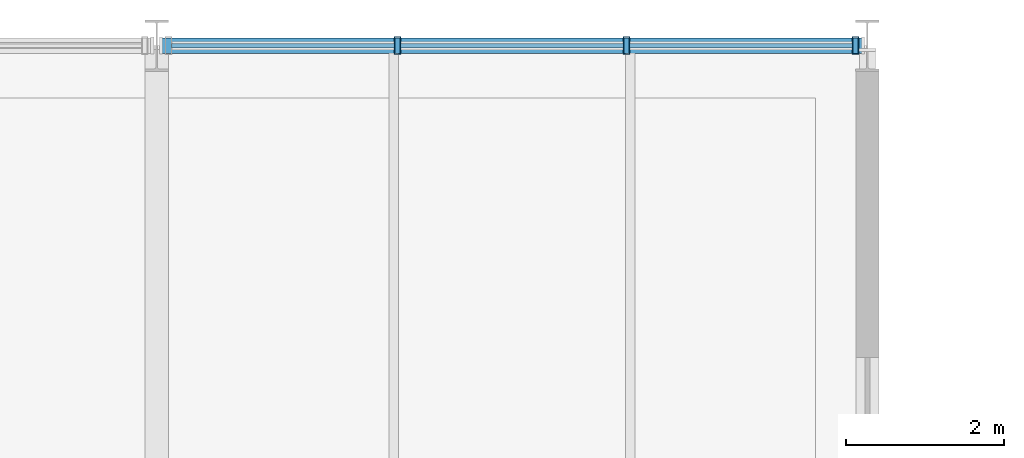
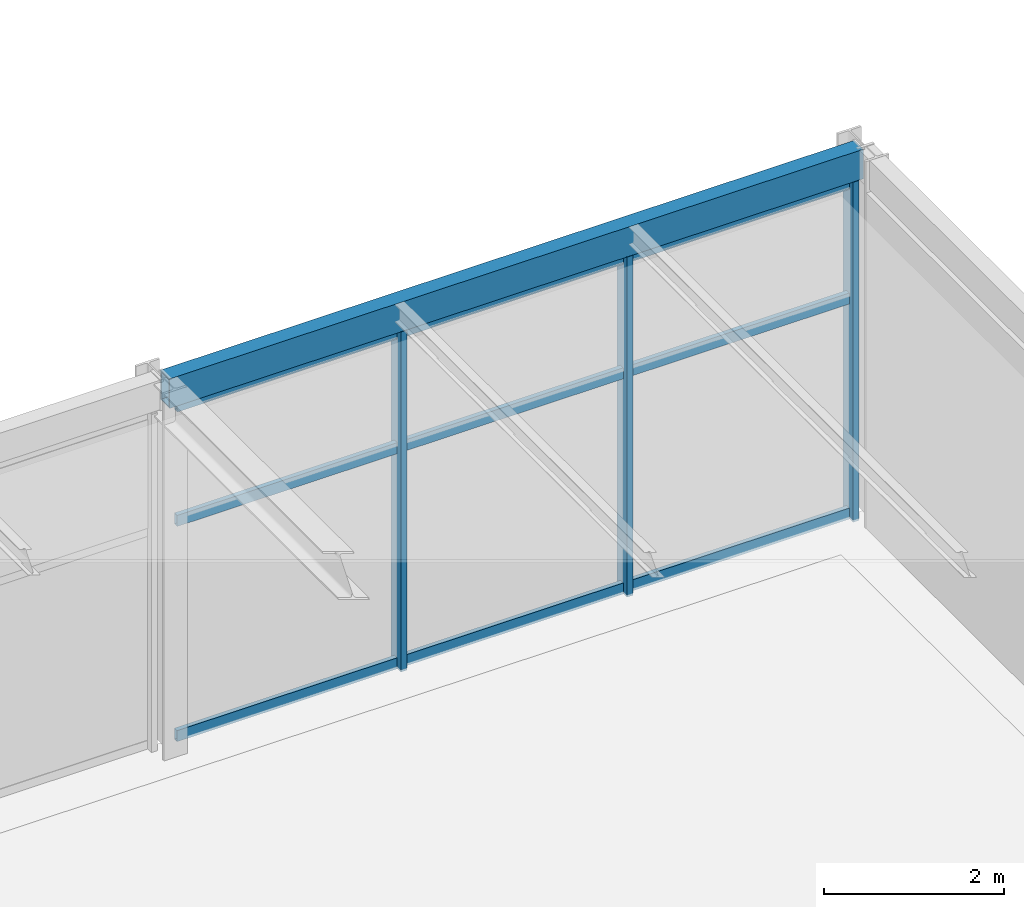
# One storey, part 93 of 195: 12 members, 1 beam, 1 element without a shape of its own.
"""IFC4 building model written with IfcOpenShell, lengths in metres."""

import ifcopenshell
import ifcopenshell.guid

model = None  # the IFC model being written
_history = None  # IfcOwnerHistory: only IFC2X3 demands one
_inside = {}  # id of a spatial element -> (the spatial element, [elements in it])
_under = {}  # id of a project, library or spatial element -> (it, [spatial elements below it])
_declared = {}  # id of a project -> (the project, [libraries it declares])
_typed = {}  # id of a type object -> (the type object, [elements of that type])
_made_of = {}  # id of a material, layer set ... -> (it, [elements and type objects made of it])


def new_model(schema):
    """Start an empty IFC model of exactly this schema.

    Asked for "IFC4X3", IfcOpenShell would pick the latest addendum, in which some entities
    have other attributes; the version numbers below select the first issue.
    IFC2X3 requires an IfcOwnerHistory on every rooted entity: one is made here for all.
    """
    global model, _history
    if schema == "IFC4X3":
        model = ifcopenshell.file(schema_version=(4, 3, 0, 0))
    else:
        model = ifcopenshell.file(schema=schema)
    _inside.clear()
    _under.clear()
    _declared.clear()
    _typed.clear()
    _made_of.clear()
    _history = None
    if model.schema == "IFC2X3":
        org = make("IfcOrganization", Name="unknown")
        user = make(
            "IfcPersonAndOrganization",
            ThePerson=make("IfcPerson", FamilyName="unknown"),
            TheOrganization=org,
        )
        app = make(
            "IfcApplication",
            ApplicationDeveloper=org,
            Version="unknown",
            ApplicationFullName="unknown",
            ApplicationIdentifier="unknown",
        )
        _history = make(
            "IfcOwnerHistory",
            OwningUser=user,
            OwningApplication=app,
            ChangeAction="ADDED",
            CreationDate=0,
        )
    return model


def make(cls, **values):
    """One entity of the class cls with the attributes given. An attribute that is None is left unset."""
    return model.create_entity(
        cls, **{name: value for name, value in values.items() if value is not None}
    )


def rooted(cls, **values):
    """An entity with a GlobalId (a new one), such as an element, a storey or a relation."""
    return make(cls, GlobalId=ifcopenshell.guid.new(), OwnerHistory=_history, **values)


def si_unit(unit_type, name, prefix=None):
    """IfcSIUnit, for example si_unit("LENGTHUNIT", "METRE", prefix="MILLI")."""
    return make("IfcSIUnit", UnitType=unit_type, Prefix=prefix, Name=name)


def assignment(units):
    """IfcUnitAssignment: the units of a project."""
    return None if units is None else make("IfcUnitAssignment", Units=units)


def point(xyz):
    """IfcCartesianPoint."""
    return None if xyz is None else make("IfcCartesianPoint", Coordinates=xyz)


def direction(xyz):
    """IfcDirection."""
    return None if xyz is None else make("IfcDirection", DirectionRatios=xyz)


def frame(location, z_axis=None, x_axis=None):
    """IfcAxis2Placement3D, a coordinate frame: its origin and axes. An axis left out is left unset."""
    return make(
        "IfcAxis2Placement3D",
        Location=point(location),
        Axis=direction(z_axis),
        RefDirection=direction(x_axis),
    )


def frame_2d(location, x_axis=None):
    """IfcAxis2Placement2D, a coordinate frame in the plane: its origin and x axis."""
    return make(
        "IfcAxis2Placement2D", Location=point(location), RefDirection=direction(x_axis)
    )


def origin():
    """The frame at (0, 0, 0) with its axes left unset."""
    return frame((0.0, 0.0, 0.0))


def origin_2d():
    """The frame at (0, 0) in the plane with its x axis left unset."""
    return frame_2d((0.0, 0.0))


def place(relative_to, where):
    """IfcLocalPlacement: puts the frame where relative to a parent placement (None: the world)."""
    return make(
        "IfcLocalPlacement", PlacementRelTo=relative_to, RelativePlacement=where
    )


def context(
    kind, dimensions, precision=None, world=None, true_north=None, identifier=None
):
    """IfcGeometricRepresentationContext, for example the 3D "Model" context."""
    return make(
        "IfcGeometricRepresentationContext",
        ContextIdentifier=identifier,
        ContextType=kind,
        CoordinateSpaceDimension=dimensions,
        Precision=precision,
        WorldCoordinateSystem=world,
        TrueNorth=true_north,
    )


def subcontext(parent, identifier, kind, view, scale=None):
    """IfcGeometricRepresentationSubContext, for example "Body" below "Model"."""
    return make(
        "IfcGeometricRepresentationSubContext",
        ContextIdentifier=identifier,
        ContextType=kind,
        ParentContext=parent,
        TargetScale=scale,
        TargetView=view,
    )


def project(units=None, contexts=None):
    """IfcProject with its units and contexts."""
    return rooted(
        "IfcProject",
        Name="project",
        RepresentationContexts=contexts,
        UnitsInContext=assignment(units),
    )


def spatial(cls, under=None, at=None, **own):
    """A site, building, storey or space (cls), placed at a placement, below another one or the project."""
    s = rooted(cls, ObjectPlacement=at, **own)
    if under is not None:
        _under.setdefault(under.id(), (under, []))[1].append(s)
    return s


def profile(cls, at=None, kind="AREA", **sizes):
    """A parametric profile (cls). Its sizes go by their IFC names, for example OverallWidth=200.0."""
    return make(cls, ProfileType=kind, Position=at, **sizes)


def hollow_rectangle(**sizes):
    """IfcRectangleHollowProfileDef."""
    return profile("IfcRectangleHollowProfileDef", **sizes)


def extrude(swept, where, along, depth):
    """IfcExtrudedAreaSolid: the profile swept, set in the frame where, extruded along a direction by depth."""
    return make(
        "IfcExtrudedAreaSolid",
        SweptArea=swept,
        Position=where,
        ExtrudedDirection=direction(along),
        Depth=depth,
    )


def shape(context_of_items, identifier, shape_type, items):
    """IfcShapeRepresentation: the items that make up one representation, for example the "Body"."""
    return make(
        "IfcShapeRepresentation",
        ContextOfItems=context_of_items,
        RepresentationIdentifier=identifier,
        RepresentationType=shape_type,
        Items=items,
    )


def material(Name=None, Category=None):
    """IfcMaterial."""
    return make("IfcMaterial", Name=Name, Category=Category)


def layer(
    of_material, thickness, ventilated=None, Name=None, Category=None, Priority=None
):
    """IfcMaterialLayer: one layer of a wall or slab, of a material (None: an air gap)."""
    return make(
        "IfcMaterialLayer",
        Material=of_material,
        LayerThickness=thickness,
        IsVentilated=ventilated,
        Name=Name,
        Category=Category,
        Priority=Priority,
    )


def layer_set(layers, Name=None):
    """IfcMaterialLayerSet."""
    return make("IfcMaterialLayerSet", MaterialLayers=layers, LayerSetName=Name)


def material_profile(
    of_material, cross_section, Name=None, Category=None, Priority=None
):
    """IfcMaterialProfile: a cross section and its material."""
    return make(
        "IfcMaterialProfile",
        Name=Name,
        Material=of_material,
        Profile=cross_section,
        Priority=Priority,
        Category=Category,
    )


def profile_set(profiles, Name=None, composite=None):
    """IfcMaterialProfileSet."""
    return make(
        "IfcMaterialProfileSet",
        Name=Name,
        MaterialProfiles=profiles,
        CompositeProfile=composite,
    )


def made_of(thing, what):
    """Note that an element or type object is made of a material, layer set ...; save() writes the relation."""
    if what is not None:
        _made_of.setdefault(what.id(), (what, []))[1].append(thing)
    return thing


def type_object(cls, material=None, **own):
    """A type object (cls), such as IfcWallType, which elements share."""
    return made_of(rooted(cls, **own), material)


def element(
    cls,
    number,
    at=None,
    inside=None,
    cuts=None,
    type_object=None,
    material=None,
    context=None,
    identifier="Body",
    shape_type=None,
    held_by="IfcProductDefinitionShape",
    body=None,
    shapes=None,
    **own,
):
    """One element of the class cls, such as IfcWall. Its Tag is "e" and its number.

    at: its placement. inside: the storey or other place that contains it. cuts: it is an
    opening in that element (IfcRelVoidsElement). A single representation is given by context,
    identifier, shape_type and body (its items); several are given by shapes. held_by: the class
    of the entity that holds the representations. save() writes the other relations.
    """
    e = rooted(cls, Tag="e%d" % number, ObjectPlacement=at, **own)
    if body is not None:
        shapes = [shape(context, identifier, shape_type, body)]
    if shapes is not None:
        e.Representation = make(held_by, Representations=shapes)
    if inside is not None:
        _inside.setdefault(inside.id(), (inside, []))[1].append(e)
    if cuts is not None:
        rooted(
            "IfcRelVoidsElement", RelatingBuildingElement=cuts, RelatedOpeningElement=e
        )
    if type_object is not None:
        _typed.setdefault(type_object.id(), (type_object, []))[1].append(e)
    return made_of(e, material)


def aggregate(whole, parts):
    """IfcRelAggregates: a whole, such as a stair, and the parts it consists of."""
    return rooted("IfcRelAggregates", RelatingObject=whole, RelatedObjects=parts)


def save(model, path):
    """Write the relations noted so far, then the file.

    IfcRelAggregates (storeys below a building ...), IfcRelContainedInSpatialStructure (elements
    in a storey), IfcRelDefinesByType, IfcRelAssociatesMaterial and IfcRelDeclares: one each for
    every whole, place, type object, material and project.
    """
    for whole, parts in _under.values():
        aggregate(whole, parts)
    for where, things in _inside.values():
        rooted(
            "IfcRelContainedInSpatialStructure",
            RelatedElements=things,
            RelatingStructure=where,
        )
    for kind, things in _typed.values():
        rooted("IfcRelDefinesByType", RelatedObjects=things, RelatingType=kind)
    for what, things in _made_of.values():
        rooted("IfcRelAssociatesMaterial", RelatedObjects=things, RelatingMaterial=what)
    for by, libraries in _declared.values():
        rooted("IfcRelDeclares", RelatingContext=by, RelatedDefinitions=libraries)
    model.write(path)


model = new_model("IFC4")

# Units and contexts
model_context = context("Model", 3, precision=1e-05, world=origin(), true_north=direction((0.0, 1.0)))
body_context = subcontext(model_context, "Body", "Model", "MODEL_VIEW")
ifc_project = project(units=[si_unit("LENGTHUNIT", "METRE"), si_unit("AREAUNIT", "SQUARE_METRE"), si_unit("VOLUMEUNIT", "CUBIC_METRE"), si_unit("PLANEANGLEUNIT", "RADIAN"), si_unit("MASSUNIT", "GRAM", prefix="KILO")], contexts=[model_context])

# Site, building, storey
site_placement = place(None, origin())
site = spatial("IfcSite", under=ifc_project, at=site_placement, CompositionType="ELEMENT")
building_placement = place(site_placement, origin())
building = spatial("IfcBuilding", under=site, at=building_placement, Name="Marlcrest Central Station", CompositionType="ELEMENT")
storey_placement = place(building_placement, frame((0.0, 0.0, 9.800048828125)))
storey = spatial("IfcBuildingStorey", under=building, at=storey_placement, Name="L02", CompositionType="ELEMENT", Elevation=9.800048828125)

# Curtain wall, members
ifc_material_1 = material(Name="Anodised aluminium and hurricane laminated glass", Category="aluminium")
ifc_layer = layer(ifc_material_1, 0.219970703125, Name="CW-U1")
ifc_layer_set = layer_set([ifc_layer], Name="Anodised aluminium and hurricane laminated glass")
curtain_wall_type = type_object("IfcCurtainWallType", Name="CW-U1", PredefinedType="USERDEFINED", material=ifc_layer_set)
curtain_wall_placement = place(storey_placement, origin())
curtain_wall = element("IfcCurtainWall", 1, at=curtain_wall_placement, inside=storey, type_object=curtain_wall_type, Name="cw-L02-0166", ObjectType="UNITISED_CURTAIN_WALL", PredefinedType="USERDEFINED")
ifc_material_2 = material(Name="Anodised aluminium 6063-T6", Category="aluminium")
ifc_material_profile_1 = material_profile(ifc_material_2, hollow_rectangle(XDim=0.080078125, YDim=0.219970703125, WallThickness=0.006103515625, at=origin_2d()), Name="AA-RHS 220x80x6")
ifc_profile_set_1 = profile_set([ifc_material_profile_1], Name="Anodised aluminium 6063-T6")
member_type_1 = type_object("IfcMemberType", Name="ML-01", PredefinedType="MULLION", material=ifc_profile_set_1)
member_1_placement = place(storey_placement, frame((75.050048828125, 132.0, -0.030029296875), z_axis=(0.0, 0.0, 1.0), x_axis=(1.0, 0.0, 0.0)))
member_1 = element("IfcMember", 2, at=member_1_placement, type_object=member_type_1, Name="cw-L02-0166-ml-1", PredefinedType="MULLION", context=body_context, shape_type="SweptSolid", body=[
    extrude(hollow_rectangle(XDim=0.080078125, YDim=0.219970703125, WallThickness=0.006103515625, at=origin_2d()), origin(), (0.0, 0.0, 1.0), 4.60986328125),
])
member_2_placement = place(storey_placement, frame((77.949951171875, 132.0, -0.030029296875), z_axis=(0.0, 0.0, 1.0), x_axis=(1.0, 0.0, 0.0)))
member_2 = element("IfcMember", 3, at=member_2_placement, type_object=member_type_1, Name="cw-L02-0166-ml-2", PredefinedType="MULLION", context=body_context, shape_type="SweptSolid", body=[
    extrude(hollow_rectangle(XDim=0.080078125, YDim=0.219970703125, WallThickness=0.006103515625, at=origin_2d()), origin(), (0.0, 0.0, 1.0), 4.60986328125),
])
member_3_placement = place(storey_placement, frame((80.85009765625, 132.0, -0.030029296875), z_axis=(0.0, 0.0, 1.0), x_axis=(1.0, 0.0, 0.0)))
member_3 = element("IfcMember", 4, at=member_3_placement, type_object=member_type_1, Name="cw-L02-0166-ml-3", PredefinedType="MULLION", context=body_context, shape_type="SweptSolid", body=[
    extrude(hollow_rectangle(XDim=0.080078125, YDim=0.219970703125, WallThickness=0.006103515625, at=origin_2d()), origin(), (0.0, 0.0, 1.0), 4.60986328125),
])

# Beam
ifc_material_3 = material(Name="Steel S355", Category="steel")
ifc_material_profile_2 = material_profile(ifc_material_3, hollow_rectangle(XDim=0.199951171875, YDim=0.39990234375, WallThickness=0.01611328125, at=origin_2d()), Name="RHS 400x200x16")
ifc_profile_set_2 = profile_set([ifc_material_profile_2], Name="Steel S355")
beam_type = type_object("IfcBeamType", Name="SP-01", PredefinedType="SPANDREL", material=ifc_profile_set_2)
beam_placement = place(storey_placement, frame((72.050048828125, 132.0, 4.77490234375), z_axis=(1.0, 0.0, 0.0), x_axis=(0.0, 1.0, 0.0)))
element("IfcBeam", 5, at=beam_placement, inside=storey, type_object=beam_type, Name="bm-SP-01-L02-00383", PredefinedType="SPANDREL", context=body_context, shape_type="SweptSolid", body=[
    extrude(hollow_rectangle(XDim=0.199951171875, YDim=0.39990234375, WallThickness=0.01611328125, at=origin_2d()), origin(), (0.0, 0.0, 1.0), 8.89990234375),
])

# Member
ifc_material_profile_3 = material_profile(ifc_material_2, hollow_rectangle(XDim=0.06005859375, YDim=0.14990234375, WallThickness=0.00390625, at=origin_2d()), Name="AA-RHS 150x60x4")
ifc_profile_set_3 = profile_set([ifc_material_profile_3], Name="Anodised aluminium 6063-T6")
member_type_2 = type_object("IfcMemberType", Name="TR-01", PredefinedType="USERDEFINED", material=ifc_profile_set_3)
member_4_placement = place(storey_placement, frame((72.18798828125, 132.0, 0.0400390625), z_axis=(1.0, 0.0, 0.0), x_axis=(0.0, 1.0, 0.0)))
member_4 = element("IfcMember", 6, at=member_4_placement, type_object=member_type_2, Name="cw-L02-0166-tr-0-sill", ObjectType="TRANSOM", PredefinedType="USERDEFINED", context=body_context, shape_type="SweptSolid", body=[
    extrude(hollow_rectangle(XDim=0.06005859375, YDim=0.14990234375, WallThickness=0.00390625, at=origin_2d()), origin(), (0.0, 0.0, 1.0), 2.823974609375),
])

member_5_placement = place(storey_placement, frame((72.18798828125, 132.0, 2.9580078125), z_axis=(1.0, 0.0, 0.0), x_axis=(0.0, 1.0, 0.0)))
member_5 = element("IfcMember", 7, at=member_5_placement, type_object=member_type_2, Name="cw-L02-0166-tr-0-mid", ObjectType="TRANSOM", PredefinedType="USERDEFINED", context=body_context, shape_type="SweptSolid", body=[
    extrude(hollow_rectangle(XDim=0.06005859375, YDim=0.14990234375, WallThickness=0.00390625, at=origin_2d()), origin(), (0.0, 0.0, 1.0), 2.823974609375),
])

member_6_placement = place(storey_placement, frame((72.18798828125, 132.0, 4.510009765625), z_axis=(1.0, 0.0, 0.0), x_axis=(0.0, 1.0, 0.0)))
member_6 = element("IfcMember", 8, at=member_6_placement, type_object=member_type_2, Name="cw-L02-0166-tr-0-head", ObjectType="TRANSOM", PredefinedType="USERDEFINED", context=body_context, shape_type="SweptSolid", body=[
    extrude(hollow_rectangle(XDim=0.06005859375, YDim=0.14990234375, WallThickness=0.00390625, at=origin_2d()), origin(), (0.0, 0.0, 1.0), 2.823974609375),
])

member_7_placement = place(storey_placement, frame((75.087890625, 132.0, 0.0400390625), z_axis=(1.0, 0.0, 0.0), x_axis=(0.0, 1.0, 0.0)))
member_7 = element("IfcMember", 9, at=member_7_placement, type_object=member_type_2, Name="cw-L02-0166-tr-1-sill", ObjectType="TRANSOM", PredefinedType="USERDEFINED", context=body_context, shape_type="SweptSolid", body=[
    extrude(hollow_rectangle(XDim=0.06005859375, YDim=0.14990234375, WallThickness=0.00390625, at=origin_2d()), origin(), (0.0, 0.0, 1.0), 2.82421875),
])

member_8_placement = place(storey_placement, frame((75.087890625, 132.0, 2.9580078125), z_axis=(1.0, 0.0, 0.0), x_axis=(0.0, 1.0, 0.0)))
member_8 = element("IfcMember", 10, at=member_8_placement, type_object=member_type_2, Name="cw-L02-0166-tr-1-mid", ObjectType="TRANSOM", PredefinedType="USERDEFINED", context=body_context, shape_type="SweptSolid", body=[
    extrude(hollow_rectangle(XDim=0.06005859375, YDim=0.14990234375, WallThickness=0.00390625, at=origin_2d()), origin(), (0.0, 0.0, 1.0), 2.82421875),
])

member_9_placement = place(storey_placement, frame((75.087890625, 132.0, 4.510009765625), z_axis=(1.0, 0.0, 0.0), x_axis=(0.0, 1.0, 0.0)))
member_9 = element("IfcMember", 11, at=member_9_placement, type_object=member_type_2, Name="cw-L02-0166-tr-1-head", ObjectType="TRANSOM", PredefinedType="USERDEFINED", context=body_context, shape_type="SweptSolid", body=[
    extrude(hollow_rectangle(XDim=0.06005859375, YDim=0.14990234375, WallThickness=0.00390625, at=origin_2d()), origin(), (0.0, 0.0, 1.0), 2.82421875),
])

member_10_placement = place(storey_placement, frame((77.988037109375, 132.0, 0.0400390625), z_axis=(1.0, 0.0, 0.0), x_axis=(0.0, 1.0, 0.0)))
member_10 = element("IfcMember", 12, at=member_10_placement, type_object=member_type_2, Name="cw-L02-0166-tr-2-sill", ObjectType="TRANSOM", PredefinedType="USERDEFINED", context=body_context, shape_type="SweptSolid", body=[
    extrude(hollow_rectangle(XDim=0.06005859375, YDim=0.14990234375, WallThickness=0.00390625, at=origin_2d()), origin(), (0.0, 0.0, 1.0), 2.823974609375),
])

member_11_placement = place(storey_placement, frame((77.988037109375, 132.0, 2.9580078125), z_axis=(1.0, 0.0, 0.0), x_axis=(0.0, 1.0, 0.0)))
member_11 = element("IfcMember", 13, at=member_11_placement, type_object=member_type_2, Name="cw-L02-0166-tr-2-mid", ObjectType="TRANSOM", PredefinedType="USERDEFINED", context=body_context, shape_type="SweptSolid", body=[
    extrude(hollow_rectangle(XDim=0.06005859375, YDim=0.14990234375, WallThickness=0.00390625, at=origin_2d()), origin(), (0.0, 0.0, 1.0), 2.823974609375),
])

member_12_placement = place(storey_placement, frame((77.988037109375, 132.0, 4.510009765625), z_axis=(1.0, 0.0, 0.0), x_axis=(0.0, 1.0, 0.0)))
member_12 = element("IfcMember", 14, at=member_12_placement, type_object=member_type_2, Name="cw-L02-0166-tr-2-head", ObjectType="TRANSOM", PredefinedType="USERDEFINED", context=body_context, shape_type="SweptSolid", body=[
    extrude(hollow_rectangle(XDim=0.06005859375, YDim=0.14990234375, WallThickness=0.00390625, at=origin_2d()), origin(), (0.0, 0.0, 1.0), 2.823974609375),
])

aggregate(curtain_wall, [member_1, member_2, member_3, member_4, member_5, member_6, member_7, member_8, member_9, member_10, member_11, member_12])

save(model, "model.ifc")
